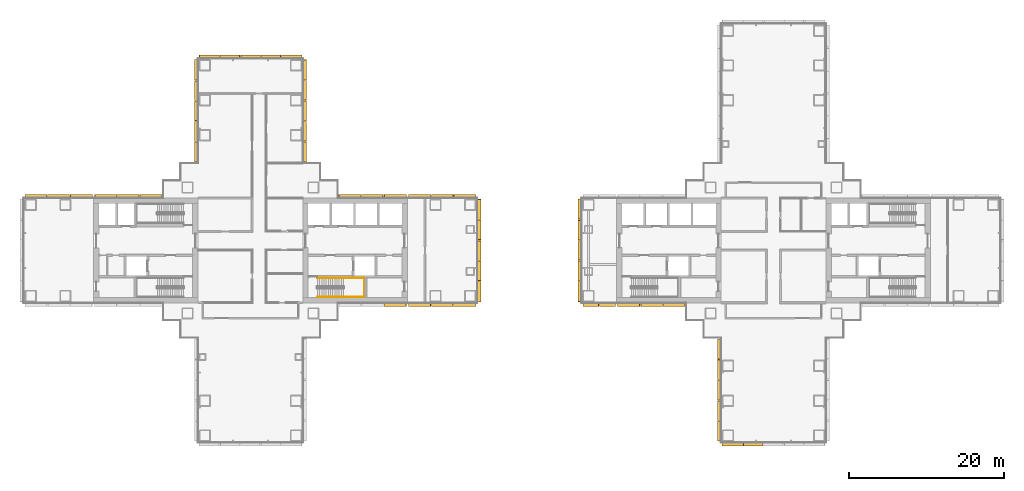
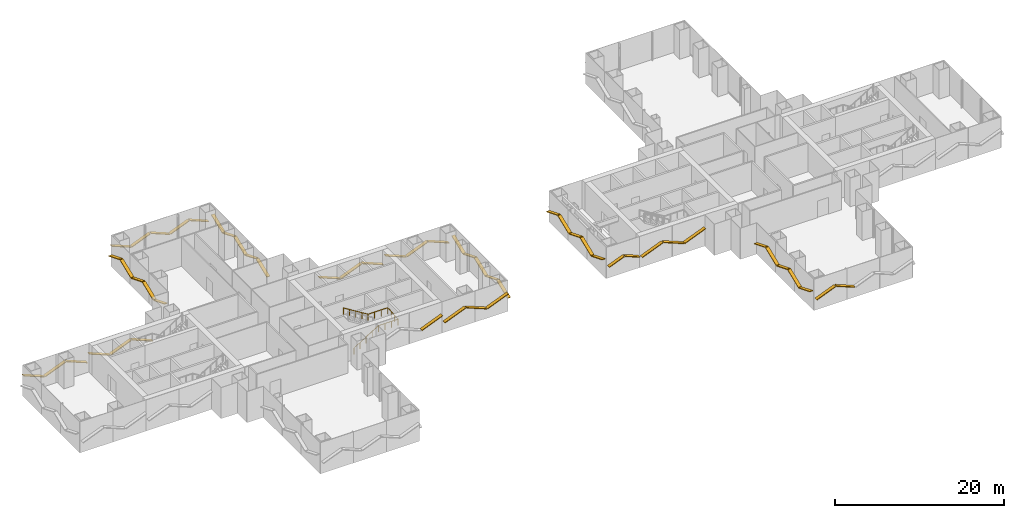
# One storey, part 20 of 22: 53 shading devices, 1 railing.
"""IFC4 building model written with IfcOpenShell, lengths in metres."""

from ifc_helpers import new_model, si_unit, direction, frame, origin, origin_2d, place, context, subcontext, project, spatial, rectangle, circle, extrude, material, material_profile, profile_set, type_object, element, save


model = new_model("IFC4")

# Units and contexts
model_context = context("Model", 3, precision=1e-05, world=origin(), true_north=direction((0.0, 1.0)))
body_context = subcontext(model_context, "Body", "Model", "MODEL_VIEW")
ifc_project = project(units=[si_unit("LENGTHUNIT", "METRE"), si_unit("AREAUNIT", "SQUARE_METRE"), si_unit("VOLUMEUNIT", "CUBIC_METRE"), si_unit("PLANEANGLEUNIT", "RADIAN"), si_unit("MASSUNIT", "GRAM", prefix="KILO")], contexts=[model_context])

# Site, building, storey
site_placement = place(None, origin())
site = spatial("IfcSite", under=ifc_project, at=site_placement, CompositionType="ELEMENT")
building_placement = place(site_placement, origin())
building = spatial("IfcBuilding", under=site, at=building_placement, Name="Shamsa Quay Exchange Towers", CompositionType="ELEMENT")
storey_placement = place(building_placement, frame((0.0, 0.0, 37.5)))
storey = spatial("IfcBuildingStorey", under=building, at=storey_placement, Name="L07", CompositionType="ELEMENT", Elevation=37.5)

# Shading devices
ifc_material_1 = material(Name="Aluminium EN AW-6063 T6, black anodised", Category="aluminium")
ifc_material_profile = material_profile(ifc_material_1, rectangle(XDim=0.449951171875, YDim=0.10009765625, at=origin_2d()), Name="FIN450x100")
ifc_profile_set = profile_set([ifc_material_profile], Name="Aluminium EN AW-6063 T6, black anodised")
shading_device_type = type_object("IfcShadingDeviceType", Name="FIN 450x100 BLACK ALUMINIUM", PredefinedType="USERDEFINED", material=ifc_profile_set)
shading_device_1_placement = place(storey_placement, frame((-16.4873046875, -7.01904296875, 1.326904296875), z_axis=(0.927200279974, 0.0, 0.374565936541), x_axis=(0.0, 1.0, 0.0)))
element("IfcShadingDevice", 1, at=shading_device_1_placement, inside=storey, type_object=shading_device_type, Name="FIN T1 chevron rib", ObjectType="FIN", PredefinedType="USERDEFINED", context=body_context, shape_type="SweptSolid", body=[
    extrude(rectangle(XDim=0.449951171875, YDim=0.10009765625, at=origin_2d()), origin(), (0.0, 0.0, 1.0), 3.060302734375),
])
shading_device_2_placement = place(storey_placement, frame((-13.35009765625, -7.014892578125, 1.32421875), z_axis=(0.927172879528, 0.0, 0.374633756445), x_axis=(0.0, 1.0, 0.0)))
element("IfcShadingDevice", 2, at=shading_device_2_placement, inside=storey, type_object=shading_device_type, Name="FIN T1 chevron rib", ObjectType="FIN", PredefinedType="USERDEFINED", context=body_context, shape_type="SweptSolid", body=[
    extrude(rectangle(XDim=0.449951171875, YDim=0.10009765625, at=origin_2d()), origin(), (0.0, 0.0, 1.0), 3.073974609375),
])
shading_device_3_placement = place(storey_placement, frame((-10.39990234375, -7.014892578125, 2.465576171875), z_axis=(0.927194321903, 0.0, -0.374580684808), x_axis=(0.0, 1.0, 0.0)))
element("IfcShadingDevice", 3, at=shading_device_3_placement, inside=storey, type_object=shading_device_type, Name="FIN T1 chevron rib", ObjectType="FIN", PredefinedType="USERDEFINED", context=body_context, shape_type="SweptSolid", body=[
    extrude(rectangle(XDim=0.449951171875, YDim=0.10009765625, at=origin_2d()), origin(), (0.0, 0.0, 1.0), 3.01953125),
])
shading_device_4_placement = place(storey_placement, frame((-7.5, -7.014892578125, 1.32421875), z_axis=(0.927172879528, 0.0, 0.374633756445), x_axis=(0.0, 1.0, 0.0)))
element("IfcShadingDevice", 4, at=shading_device_4_placement, inside=storey, type_object=shading_device_type, Name="FIN T1 chevron rib", ObjectType="FIN", PredefinedType="USERDEFINED", context=body_context, shape_type="SweptSolid", body=[
    extrude(rectangle(XDim=0.449951171875, YDim=0.10009765625, at=origin_2d()), origin(), (0.0, 0.0, 1.0), 3.073974609375),
])
shading_device_5_placement = place(storey_placement, frame((-4.235107421875, -6.60009765625, 1.376708984375), z_axis=(0.0, 0.927193392866, 0.374582984431), x_axis=(-1.0, 0.0, 0.0)))
element("IfcShadingDevice", 5, at=shading_device_5_placement, inside=storey, type_object=shading_device_type, Name="FIN T1 chevron rib", ObjectType="FIN", PredefinedType="USERDEFINED", context=body_context, shape_type="SweptSolid", body=[
    extrude(rectangle(XDim=0.449951171875, YDim=0.10009765625, at=origin_2d()), origin(), (0.0, 0.0, 1.0), 2.79345703125),
])
shading_device_6_placement = place(storey_placement, frame((-4.235107421875, -3.909912109375, 2.4130859375), z_axis=(0.0, 0.92718648049, -0.374600093963), x_axis=(-1.0, 0.0, 0.0)))
element("IfcShadingDevice", 6, at=shading_device_6_placement, inside=storey, type_object=shading_device_type, Name="FIN T1 chevron rib", ObjectType="FIN", PredefinedType="USERDEFINED", context=body_context, shape_type="SweptSolid", body=[
    extrude(rectangle(XDim=0.449951171875, YDim=0.10009765625, at=origin_2d()), origin(), (0.0, 0.0, 1.0), 2.7392578125),
])
shading_device_7_placement = place(storey_placement, frame((-4.235107421875, -1.27001953125, 1.386962890625), z_axis=(0.0, 0.927198985683, 0.37456914041), x_axis=(-1.0, 0.0, 0.0)))
element("IfcShadingDevice", 7, at=shading_device_7_placement, inside=storey, type_object=shading_device_type, Name="FIN T1 chevron rib", ObjectType="FIN", PredefinedType="USERDEFINED", context=body_context, shape_type="SweptSolid", body=[
    extrude(rectangle(XDim=0.449951171875, YDim=0.10009765625, at=origin_2d()), origin(), (0.0, 0.0, 1.0), 2.739501953125),
])
shading_device_8_placement = place(storey_placement, frame((-4.235107421875, 1.3701171875, 2.4130859375), z_axis=(0.0, 0.92718648049, -0.374600093963), x_axis=(-1.0, 0.0, 0.0)))
element("IfcShadingDevice", 8, at=shading_device_8_placement, inside=storey, type_object=shading_device_type, Name="FIN T1 chevron rib", ObjectType="FIN", PredefinedType="USERDEFINED", context=body_context, shape_type="SweptSolid", body=[
    extrude(rectangle(XDim=0.449951171875, YDim=0.10009765625, at=origin_2d()), origin(), (0.0, 0.0, 1.0), 2.7392578125),
])
shading_device_9_placement = place(storey_placement, frame((-4.235107421875, 4.010009765625, 1.376708984375), z_axis=(0.0, 0.927193392866, 0.374582984431), x_axis=(-1.0, 0.0, 0.0)))
element("IfcShadingDevice", 9, at=shading_device_9_placement, inside=storey, type_object=shading_device_type, Name="FIN T1 chevron rib", ObjectType="FIN", PredefinedType="USERDEFINED", context=body_context, shape_type="SweptSolid", body=[
    extrude(rectangle(XDim=0.449951171875, YDim=0.10009765625, at=origin_2d()), origin(), (0.0, 0.0, 1.0), 2.79345703125),
])
shading_device_10_placement = place(storey_placement, frame((-4.64990234375, 7.014892578125, 1.32421875), z_axis=(-0.927172879528, 0.0, 0.374633756445), x_axis=(0.0, -1.0, 0.0)))
element("IfcShadingDevice", 10, at=shading_device_10_placement, inside=storey, type_object=shading_device_type, Name="FIN T1 chevron rib", ObjectType="FIN", PredefinedType="USERDEFINED", context=body_context, shape_type="SweptSolid", body=[
    extrude(rectangle(XDim=0.449951171875, YDim=0.10009765625, at=origin_2d()), origin(), (0.0, 0.0, 1.0), 3.073974609375),
])
shading_device_11_placement = place(storey_placement, frame((-7.60009765625, 7.014892578125, 2.465576171875), z_axis=(-0.927194321903, 0.0, -0.374580684808), x_axis=(0.0, -1.0, 0.0)))
element("IfcShadingDevice", 11, at=shading_device_11_placement, inside=storey, type_object=shading_device_type, Name="FIN T1 chevron rib", ObjectType="FIN", PredefinedType="USERDEFINED", context=body_context, shape_type="SweptSolid", body=[
    extrude(rectangle(XDim=0.449951171875, YDim=0.10009765625, at=origin_2d()), origin(), (0.0, 0.0, 1.0), 3.01953125),
])
for number, where, z_axis, x_axis, name in (
    (12, (-10.5, 7.014892578125, 1.32421875), (-0.927172879528, 0.0, 0.374633756445), (0.0, -1.0, 0.0), "FIN T1 chevron rib"),
    (13, (-13.64990234375, 7.01904296875, 1.32421875), (-0.927172879528, 0.0, 0.374633756445), (0.0, -1.0, 0.0), "FIN T1 chevron rib"),
):
    element("IfcShadingDevice", number, at=place(storey_placement, frame(where, z_axis=z_axis, x_axis=x_axis)), inside=storey, type_object=shading_device_type, Name=name, ObjectType="FIN", PredefinedType="USERDEFINED", context=body_context, shape_type="SweptSolid", body=[
        extrude(rectangle(XDim=0.449951171875, YDim=0.10009765625, at=origin_2d()), origin(), (0.0, 0.0, 1.0), 3.073974609375),
    ])
shading_device_12_placement = place(storey_placement, frame((-16.60009765625, 7.01904296875, 2.465576171875), z_axis=(-0.927194321903, 0.0, -0.374580684808), x_axis=(0.0, -1.0, 0.0)))
element("IfcShadingDevice", 14, at=shading_device_12_placement, inside=storey, type_object=shading_device_type, Name="FIN T1 chevron rib", ObjectType="FIN", PredefinedType="USERDEFINED", context=body_context, shape_type="SweptSolid", body=[
    extrude(rectangle(XDim=0.449951171875, YDim=0.10009765625, at=origin_2d()), origin(), (0.0, 0.0, 1.0), 3.01953125),
])
shading_device_13_placement = place(storey_placement, frame((-19.5, 7.01904296875, 1.32421875), z_axis=(-0.927172879528, 0.0, 0.374633756445), x_axis=(0.0, -1.0, 0.0)))
element("IfcShadingDevice", 15, at=shading_device_13_placement, inside=storey, type_object=shading_device_type, Name="FIN T1 chevron rib", ObjectType="FIN", PredefinedType="USERDEFINED", context=body_context, shape_type="SweptSolid", body=[
    extrude(rectangle(XDim=0.449951171875, YDim=0.10009765625, at=origin_2d()), origin(), (0.0, 0.0, 1.0), 3.073974609375),
])
shading_device_14_placement = place(storey_placement, frame((-26.735107421875, 11.43798828125, 1.37841796875), z_axis=(0.0, 0.927207886392, 0.374547107067), x_axis=(-1.0, 0.0, 0.0)))
element("IfcShadingDevice", 16, at=shading_device_14_placement, inside=storey, type_object=shading_device_type, Name="FIN T1 chevron rib", ObjectType="FIN", PredefinedType="USERDEFINED", context=body_context, shape_type="SweptSolid", body=[
    extrude(rectangle(XDim=0.449951171875, YDim=0.10009765625, at=origin_2d()), origin(), (0.0, 0.0, 1.0), 2.78515625),
])
for number, where, z_axis, x_axis, name in (
    (17, (-26.735107421875, 14.120361328125, 2.41162109375), (0.0, 0.927182738176, -0.374609356569), (-1.0, 0.0, 0.0), "FIN T1 chevron rib"),
    (18, (-26.735107421875, 16.752685546875, 1.388427734375), (0.0, 0.927182738176, 0.374609356569), (-1.0, 0.0, 0.0), "FIN T1 chevron rib"),
):
    element("IfcShadingDevice", number, at=place(storey_placement, frame(where, z_axis=z_axis, x_axis=x_axis)), inside=storey, type_object=shading_device_type, Name=name, ObjectType="FIN", PredefinedType="USERDEFINED", context=body_context, shape_type="SweptSolid", body=[
        extrude(rectangle(XDim=0.449951171875, YDim=0.10009765625, at=origin_2d()), origin(), (0.0, 0.0, 1.0), 2.7314453125),
    ])
shading_device_15_placement = place(storey_placement, frame((-26.735107421875, 19.38525390625, 2.41162109375), z_axis=(0.0, 0.927170193131, -0.37464040488), x_axis=(-1.0, 0.0, 0.0)))
element("IfcShadingDevice", 19, at=shading_device_15_placement, inside=storey, type_object=shading_device_type, Name="FIN T1 chevron rib", ObjectType="FIN", PredefinedType="USERDEFINED", context=body_context, shape_type="SweptSolid", body=[
    extrude(rectangle(XDim=0.449951171875, YDim=0.10009765625, at=origin_2d()), origin(), (0.0, 0.0, 1.0), 2.731201171875),
])
shading_device_16_placement = place(storey_placement, frame((-26.735107421875, 22.017578125, 1.37841796875), z_axis=(0.0, 0.927207886392, 0.374547107067), x_axis=(-1.0, 0.0, 0.0)))
element("IfcShadingDevice", 20, at=shading_device_16_placement, inside=storey, type_object=shading_device_type, Name="FIN T1 chevron rib", ObjectType="FIN", PredefinedType="USERDEFINED", context=body_context, shape_type="SweptSolid", body=[
    extrude(rectangle(XDim=0.449951171875, YDim=0.10009765625, at=origin_2d()), origin(), (0.0, 0.0, 1.0), 2.78515625),
])
shading_device_17_placement = place(storey_placement, frame((-27.14990234375, 25.014892578125, 1.376708984375), z_axis=(-0.927193392866, 0.0, 0.374582984431), x_axis=(0.0, -1.0, 0.0)))
element("IfcShadingDevice", 21, at=shading_device_17_placement, inside=storey, type_object=shading_device_type, Name="FIN T1 chevron rib", ObjectType="FIN", PredefinedType="USERDEFINED", context=body_context, shape_type="SweptSolid", body=[
    extrude(rectangle(XDim=0.449951171875, YDim=0.10009765625, at=origin_2d()), origin(), (0.0, 0.0, 1.0), 2.79345703125),
])
shading_device_18_placement = place(storey_placement, frame((-29.840087890625, 25.014892578125, 2.4130859375), z_axis=(-0.92718648049, 0.0, -0.374600093963), x_axis=(0.0, -1.0, 0.0)))
element("IfcShadingDevice", 22, at=shading_device_18_placement, inside=storey, type_object=shading_device_type, Name="FIN T1 chevron rib", ObjectType="FIN", PredefinedType="USERDEFINED", context=body_context, shape_type="SweptSolid", body=[
    extrude(rectangle(XDim=0.449951171875, YDim=0.10009765625, at=origin_2d()), origin(), (0.0, 0.0, 1.0), 2.7392578125),
])
shading_device_19_placement = place(storey_placement, frame((-32.47998046875, 25.014892578125, 1.386962890625), z_axis=(-0.927198985683, 0.0, 0.37456914041), x_axis=(0.0, -1.0, 0.0)))
element("IfcShadingDevice", 23, at=shading_device_19_placement, inside=storey, type_object=shading_device_type, Name="FIN T1 chevron rib", ObjectType="FIN", PredefinedType="USERDEFINED", context=body_context, shape_type="SweptSolid", body=[
    extrude(rectangle(XDim=0.449951171875, YDim=0.10009765625, at=origin_2d()), origin(), (0.0, 0.0, 1.0), 2.739501953125),
])
shading_device_20_placement = place(storey_placement, frame((-35.1201171875, 25.014892578125, 2.4130859375), z_axis=(-0.92718648049, 0.0, -0.374600093963), x_axis=(0.0, -1.0, 0.0)))
element("IfcShadingDevice", 24, at=shading_device_20_placement, inside=storey, type_object=shading_device_type, Name="FIN T1 chevron rib", ObjectType="FIN", PredefinedType="USERDEFINED", context=body_context, shape_type="SweptSolid", body=[
    extrude(rectangle(XDim=0.449951171875, YDim=0.10009765625, at=origin_2d()), origin(), (0.0, 0.0, 1.0), 2.7392578125),
])
for number, where, z_axis, x_axis, name in (
    (25, (-37.760009765625, 25.014892578125, 1.376708984375), (-0.927193392866, 0.0, 0.374582984431), (0.0, -1.0, 0.0), "FIN T1 chevron rib"),
    (26, (-40.764892578125, 24.60009765625, 1.376708984375), (0.0, -0.927193392866, 0.374582984431), (1.0, 0.0, 0.0), "FIN T1 chevron rib"),
):
    element("IfcShadingDevice", number, at=place(storey_placement, frame(where, z_axis=z_axis, x_axis=x_axis)), inside=storey, type_object=shading_device_type, Name=name, ObjectType="FIN", PredefinedType="USERDEFINED", context=body_context, shape_type="SweptSolid", body=[
        extrude(rectangle(XDim=0.449951171875, YDim=0.10009765625, at=origin_2d()), origin(), (0.0, 0.0, 1.0), 2.79345703125),
    ])
shading_device_21_placement = place(storey_placement, frame((-40.764892578125, 21.909912109375, 2.4130859375), z_axis=(0.0, -0.92718648049, -0.374600093963), x_axis=(1.0, 0.0, 0.0)))
element("IfcShadingDevice", 27, at=shading_device_21_placement, inside=storey, type_object=shading_device_type, Name="FIN T1 chevron rib", ObjectType="FIN", PredefinedType="USERDEFINED", context=body_context, shape_type="SweptSolid", body=[
    extrude(rectangle(XDim=0.449951171875, YDim=0.10009765625, at=origin_2d()), origin(), (0.0, 0.0, 1.0), 2.7392578125),
])
shading_device_22_placement = place(storey_placement, frame((-40.764892578125, 19.27001953125, 1.386962890625), z_axis=(0.0, -0.927198985683, 0.37456914041), x_axis=(1.0, 0.0, 0.0)))
element("IfcShadingDevice", 28, at=shading_device_22_placement, inside=storey, type_object=shading_device_type, Name="FIN T1 chevron rib", ObjectType="FIN", PredefinedType="USERDEFINED", context=body_context, shape_type="SweptSolid", body=[
    extrude(rectangle(XDim=0.449951171875, YDim=0.10009765625, at=origin_2d()), origin(), (0.0, 0.0, 1.0), 2.739501953125),
])
shading_device_23_placement = place(storey_placement, frame((-40.764892578125, 16.6298828125, 2.4130859375), z_axis=(0.0, -0.92718648049, -0.374600093963), x_axis=(1.0, 0.0, 0.0)))
element("IfcShadingDevice", 29, at=shading_device_23_placement, inside=storey, type_object=shading_device_type, Name="FIN T1 chevron rib", ObjectType="FIN", PredefinedType="USERDEFINED", context=body_context, shape_type="SweptSolid", body=[
    extrude(rectangle(XDim=0.449951171875, YDim=0.10009765625, at=origin_2d()), origin(), (0.0, 0.0, 1.0), 2.7392578125),
])
shading_device_24_placement = place(storey_placement, frame((-40.764892578125, 13.989990234375, 1.376708984375), z_axis=(0.0, -0.927193392866, 0.374582984431), x_axis=(1.0, 0.0, 0.0)))
element("IfcShadingDevice", 30, at=shading_device_24_placement, inside=storey, type_object=shading_device_type, Name="FIN T1 chevron rib", ObjectType="FIN", PredefinedType="USERDEFINED", context=body_context, shape_type="SweptSolid", body=[
    extrude(rectangle(XDim=0.449951171875, YDim=0.10009765625, at=origin_2d()), origin(), (0.0, 0.0, 1.0), 2.79345703125),
])
shading_device_25_placement = place(storey_placement, frame((-45.18798828125, 7.01904296875, 1.326904296875), z_axis=(-0.927200279974, 0.0, 0.374565936541), x_axis=(0.0, -1.0, 0.0)))
element("IfcShadingDevice", 31, at=shading_device_25_placement, inside=storey, type_object=shading_device_type, Name="FIN T1 chevron rib", ObjectType="FIN", PredefinedType="USERDEFINED", context=body_context, shape_type="SweptSolid", body=[
    extrude(rectangle(XDim=0.449951171875, YDim=0.10009765625, at=origin_2d()), origin(), (0.0, 0.0, 1.0), 3.060302734375),
])
shading_device_26_placement = place(storey_placement, frame((-48.125244140625, 7.01904296875, 2.463134765625), z_axis=(-0.927177294124, 0.0, -0.374622830673), x_axis=(0.0, -1.0, 0.0)))
element("IfcShadingDevice", 32, at=shading_device_26_placement, inside=storey, type_object=shading_device_type, Name="FIN T1 chevron rib", ObjectType="FIN", PredefinedType="USERDEFINED", context=body_context, shape_type="SweptSolid", body=[
    extrude(rectangle(XDim=0.449951171875, YDim=0.10009765625, at=origin_2d()), origin(), (0.0, 0.0, 1.0), 3.00634765625),
])
shading_device_27_placement = place(storey_placement, frame((-51.0126953125, 7.01904296875, 1.326904296875), z_axis=(-0.927200279974, 0.0, 0.374565936541), x_axis=(0.0, -1.0, 0.0)))
element("IfcShadingDevice", 33, at=shading_device_27_placement, inside=storey, type_object=shading_device_type, Name="FIN T1 chevron rib", ObjectType="FIN", PredefinedType="USERDEFINED", context=body_context, shape_type="SweptSolid", body=[
    extrude(rectangle(XDim=0.449951171875, YDim=0.10009765625, at=origin_2d()), origin(), (0.0, 0.0, 1.0), 3.060302734375),
])
shading_device_28_placement = place(storey_placement, frame((-54.14990234375, 7.014892578125, 1.32421875), z_axis=(-0.927172879528, 0.0, 0.374633756445), x_axis=(0.0, -1.0, 0.0)))
element("IfcShadingDevice", 34, at=shading_device_28_placement, inside=storey, type_object=shading_device_type, Name="FIN T1 chevron rib", ObjectType="FIN", PredefinedType="USERDEFINED", context=body_context, shape_type="SweptSolid", body=[
    extrude(rectangle(XDim=0.449951171875, YDim=0.10009765625, at=origin_2d()), origin(), (0.0, 0.0, 1.0), 3.073974609375),
])
shading_device_29_placement = place(storey_placement, frame((-57.10009765625, 7.014892578125, 2.465576171875), z_axis=(-0.927194321903, 0.0, -0.374580684808), x_axis=(0.0, -1.0, 0.0)))
element("IfcShadingDevice", 35, at=shading_device_29_placement, inside=storey, type_object=shading_device_type, Name="FIN T1 chevron rib", ObjectType="FIN", PredefinedType="USERDEFINED", context=body_context, shape_type="SweptSolid", body=[
    extrude(rectangle(XDim=0.449951171875, YDim=0.10009765625, at=origin_2d()), origin(), (0.0, 0.0, 1.0), 3.01953125),
])
shading_device_30_placement = place(storey_placement, frame((-60.0, 7.014892578125, 1.32421875), z_axis=(-0.927172879528, 0.0, 0.374633756445), x_axis=(0.0, -1.0, 0.0)))
element("IfcShadingDevice", 36, at=shading_device_30_placement, inside=storey, type_object=shading_device_type, Name="FIN T1 chevron rib", ObjectType="FIN", PredefinedType="USERDEFINED", context=body_context, shape_type="SweptSolid", body=[
    extrude(rectangle(XDim=0.449951171875, YDim=0.10009765625, at=origin_2d()), origin(), (0.0, 0.0, 1.0), 3.073974609375),
])
shading_device_31_placement = place(storey_placement, frame((8.735107421875, 6.60009765625, 1.376708984375), z_axis=(0.0, -0.927193392866, 0.374582984431), x_axis=(1.0, 0.0, 0.0)))
element("IfcShadingDevice", 37, at=shading_device_31_placement, inside=storey, type_object=shading_device_type, Name="FIN T2 chevron rib", ObjectType="FIN", PredefinedType="USERDEFINED", context=body_context, shape_type="SweptSolid", body=[
    extrude(rectangle(XDim=0.449951171875, YDim=0.10009765625, at=origin_2d()), origin(), (0.0, 0.0, 1.0), 2.79345703125),
])
shading_device_32_placement = place(storey_placement, frame((8.735107421875, 3.909912109375, 2.4130859375), z_axis=(0.0, -0.92718648049, -0.374600093963), x_axis=(1.0, 0.0, 0.0)))
element("IfcShadingDevice", 38, at=shading_device_32_placement, inside=storey, type_object=shading_device_type, Name="FIN T2 chevron rib", ObjectType="FIN", PredefinedType="USERDEFINED", context=body_context, shape_type="SweptSolid", body=[
    extrude(rectangle(XDim=0.449951171875, YDim=0.10009765625, at=origin_2d()), origin(), (0.0, 0.0, 1.0), 2.7392578125),
])
shading_device_33_placement = place(storey_placement, frame((8.735107421875, 1.27001953125, 1.386962890625), z_axis=(0.0, -0.927198985683, 0.37456914041), x_axis=(1.0, 0.0, 0.0)))
element("IfcShadingDevice", 39, at=shading_device_33_placement, inside=storey, type_object=shading_device_type, Name="FIN T2 chevron rib", ObjectType="FIN", PredefinedType="USERDEFINED", context=body_context, shape_type="SweptSolid", body=[
    extrude(rectangle(XDim=0.449951171875, YDim=0.10009765625, at=origin_2d()), origin(), (0.0, 0.0, 1.0), 2.739501953125),
])
shading_device_34_placement = place(storey_placement, frame((8.735107421875, -1.3701171875, 2.4130859375), z_axis=(0.0, -0.92718648049, -0.374600093963), x_axis=(1.0, 0.0, 0.0)))
element("IfcShadingDevice", 40, at=shading_device_34_placement, inside=storey, type_object=shading_device_type, Name="FIN T2 chevron rib", ObjectType="FIN", PredefinedType="USERDEFINED", context=body_context, shape_type="SweptSolid", body=[
    extrude(rectangle(XDim=0.449951171875, YDim=0.10009765625, at=origin_2d()), origin(), (0.0, 0.0, 1.0), 2.7392578125),
])
shading_device_35_placement = place(storey_placement, frame((8.735107421875, -4.010009765625, 1.376708984375), z_axis=(0.0, -0.927193392866, 0.374582984431), x_axis=(1.0, 0.0, 0.0)))
element("IfcShadingDevice", 41, at=shading_device_35_placement, inside=storey, type_object=shading_device_type, Name="FIN T2 chevron rib", ObjectType="FIN", PredefinedType="USERDEFINED", context=body_context, shape_type="SweptSolid", body=[
    extrude(rectangle(XDim=0.449951171875, YDim=0.10009765625, at=origin_2d()), origin(), (0.0, 0.0, 1.0), 2.79345703125),
])
for number, where, z_axis, x_axis, name in (
    (42, (9.14990234375, -7.014892578125, 1.48583984375), (0.927168828628, 0.0, 0.374643781772), (0.0, 1.0, 0.0), "FIN T2 chevron rib"),
    (43, (11.300048828125, -7.014892578125, 2.314208984375), (0.927168828628, 0.0, -0.374643781772), (0.0, 1.0, 0.0), "FIN T2 chevron rib"),
):
    element("IfcShadingDevice", number, at=place(storey_placement, frame(where, z_axis=z_axis, x_axis=x_axis)), inside=storey, type_object=shading_device_type, Name=name, ObjectType="FIN", PredefinedType="USERDEFINED", context=body_context, shape_type="SweptSolid", body=[
        extrude(rectangle(XDim=0.449951171875, YDim=0.10009765625, at=origin_2d()), origin(), (0.0, 0.0, 1.0), 2.211181640625),
    ])
shading_device_36_placement = place(storey_placement, frame((13.64990234375, -7.01904296875, 1.32421875), z_axis=(0.927172879528, 0.0, 0.374633756445), x_axis=(0.0, 1.0, 0.0)))
element("IfcShadingDevice", 44, at=shading_device_36_placement, inside=storey, type_object=shading_device_type, Name="FIN T2 chevron rib", ObjectType="FIN", PredefinedType="USERDEFINED", context=body_context, shape_type="SweptSolid", body=[
    extrude(rectangle(XDim=0.449951171875, YDim=0.10009765625, at=origin_2d()), origin(), (0.0, 0.0, 1.0), 3.073974609375),
])
shading_device_37_placement = place(storey_placement, frame((16.60009765625, -7.01904296875, 2.465576171875), z_axis=(0.927194321903, 0.0, -0.374580684808), x_axis=(0.0, 1.0, 0.0)))
element("IfcShadingDevice", 45, at=shading_device_37_placement, inside=storey, type_object=shading_device_type, Name="FIN T2 chevron rib", ObjectType="FIN", PredefinedType="USERDEFINED", context=body_context, shape_type="SweptSolid", body=[
    extrude(rectangle(XDim=0.449951171875, YDim=0.10009765625, at=origin_2d()), origin(), (0.0, 0.0, 1.0), 3.01953125),
])
shading_device_38_placement = place(storey_placement, frame((19.5, -7.01904296875, 1.32421875), z_axis=(0.927172879528, 0.0, 0.374633756445), x_axis=(0.0, 1.0, 0.0)))
element("IfcShadingDevice", 46, at=shading_device_38_placement, inside=storey, type_object=shading_device_type, Name="FIN T2 chevron rib", ObjectType="FIN", PredefinedType="USERDEFINED", context=body_context, shape_type="SweptSolid", body=[
    extrude(rectangle(XDim=0.449951171875, YDim=0.10009765625, at=origin_2d()), origin(), (0.0, 0.0, 1.0), 3.073974609375),
])
shading_device_39_placement = place(storey_placement, frame((26.735107421875, -11.43798828125, 1.37841796875), z_axis=(0.0, -0.927207886392, 0.374547107067), x_axis=(1.0, 0.0, 0.0)))
element("IfcShadingDevice", 47, at=shading_device_39_placement, inside=storey, type_object=shading_device_type, Name="FIN T2 chevron rib", ObjectType="FIN", PredefinedType="USERDEFINED", context=body_context, shape_type="SweptSolid", body=[
    extrude(rectangle(XDim=0.449951171875, YDim=0.10009765625, at=origin_2d()), origin(), (0.0, 0.0, 1.0), 2.78515625),
])
for number, where, z_axis, x_axis, name in (
    (48, (26.735107421875, -14.120361328125, 2.41162109375), (0.0, -0.927182738176, -0.374609356569), (1.0, 0.0, 0.0), "FIN T2 chevron rib"),
    (49, (26.735107421875, -16.752685546875, 1.388427734375), (0.0, -0.927182738176, 0.374609356569), (1.0, 0.0, 0.0), "FIN T2 chevron rib"),
):
    element("IfcShadingDevice", number, at=place(storey_placement, frame(where, z_axis=z_axis, x_axis=x_axis)), inside=storey, type_object=shading_device_type, Name=name, ObjectType="FIN", PredefinedType="USERDEFINED", context=body_context, shape_type="SweptSolid", body=[
        extrude(rectangle(XDim=0.449951171875, YDim=0.10009765625, at=origin_2d()), origin(), (0.0, 0.0, 1.0), 2.7314453125),
    ])
shading_device_40_placement = place(storey_placement, frame((26.735107421875, -19.38525390625, 2.41162109375), z_axis=(0.0, -0.927170193131, -0.37464040488), x_axis=(1.0, 0.0, 0.0)))
element("IfcShadingDevice", 50, at=shading_device_40_placement, inside=storey, type_object=shading_device_type, Name="FIN T2 chevron rib", ObjectType="FIN", PredefinedType="USERDEFINED", context=body_context, shape_type="SweptSolid", body=[
    extrude(rectangle(XDim=0.449951171875, YDim=0.10009765625, at=origin_2d()), origin(), (0.0, 0.0, 1.0), 2.731201171875),
])
shading_device_41_placement = place(storey_placement, frame((26.735107421875, -22.017578125, 1.37841796875), z_axis=(0.0, -0.927207886392, 0.374547107067), x_axis=(1.0, 0.0, 0.0)))
element("IfcShadingDevice", 51, at=shading_device_41_placement, inside=storey, type_object=shading_device_type, Name="FIN T2 chevron rib", ObjectType="FIN", PredefinedType="USERDEFINED", context=body_context, shape_type="SweptSolid", body=[
    extrude(rectangle(XDim=0.449951171875, YDim=0.10009765625, at=origin_2d()), origin(), (0.0, 0.0, 1.0), 2.78515625),
])
shading_device_42_placement = place(storey_placement, frame((27.14990234375, -25.014892578125, 1.376708984375), z_axis=(0.927193392866, 0.0, 0.374582984431), x_axis=(0.0, 1.0, 0.0)))
element("IfcShadingDevice", 52, at=shading_device_42_placement, inside=storey, type_object=shading_device_type, Name="FIN T2 chevron rib", ObjectType="FIN", PredefinedType="USERDEFINED", context=body_context, shape_type="SweptSolid", body=[
    extrude(rectangle(XDim=0.449951171875, YDim=0.10009765625, at=origin_2d()), origin(), (0.0, 0.0, 1.0), 2.79345703125),
])
shading_device_43_placement = place(storey_placement, frame((29.840087890625, -25.014892578125, 2.4130859375), z_axis=(0.92718648049, 0.0, -0.374600093963), x_axis=(0.0, 1.0, 0.0)))
element("IfcShadingDevice", 53, at=shading_device_43_placement, inside=storey, type_object=shading_device_type, Name="FIN T2 chevron rib", ObjectType="FIN", PredefinedType="USERDEFINED", context=body_context, shape_type="SweptSolid", body=[
    extrude(rectangle(XDim=0.449951171875, YDim=0.10009765625, at=origin_2d()), origin(), (0.0, 0.0, 1.0), 2.7392578125),
])

# Railing
ifc_material_2 = material(Name="Stainless steel", Category="steel")
railing_type = type_object("IfcRailingType", Name="STAIR HANDRAIL 900", PredefinedType="HANDRAIL", material=ifc_material_2)
railing_placement = place(storey_placement, frame((-25.10009765625, -6.0, 0.173095703125)))
element("IfcRailing", 54, at=railing_placement, inside=storey, type_object=railing_type, Name="L07 ST1 stair handrail 1", PredefinedType="HANDRAIL", context=body_context, shape_type="SweptSolid", body=[
    extrude(circle(Radius=0.02392578125, at=origin_2d()), frame((0.0, 0.0, 0.8759765625), z_axis=(0.850623216509, 0.0, 0.525775754039), x_axis=(0.0, 1.0, 0.0)), (0.0, 0.0, 1.0), 3.9501953125),
    extrude(circle(Radius=0.02392578125, at=origin_2d()), frame((3.360107421875, 0.0, 2.95263671875), z_axis=(1.0, 0.0, 0.0), x_axis=(0.0, 1.0, 0.0)), (0.0, 0.0, 1.0), 2.68994140625),
    extrude(circle(Radius=0.02392578125, at=origin_2d()), frame((6.050048828125, 0.0, 2.95263671875), z_axis=(0.0, 0.997513402493, 0.07047703063), x_axis=(-1.0, 0.0, 0.0)), (0.0, 0.0, 1.0), 2.4560546875),
    extrude(circle(Radius=0.02392578125, at=origin_2d()), frame((6.050048828125, 2.449951171875, 3.1259765625), z_axis=(-1.0, 0.0, 0.0), x_axis=(0.0, -1.0, 0.0)), (0.0, 0.0, 1.0), 2.68994140625),
    extrude(circle(Radius=0.02392578125, at=origin_2d()), frame((3.360107421875, 2.449951171875, 3.1259765625), z_axis=(-0.850623216509, 0.0, 0.525775754039), x_axis=(0.0, -1.0, 0.0)), (0.0, 0.0, 1.0), 3.9501953125),
    extrude(circle(Radius=0.02099609375, at=origin_2d()), origin(), (0.0, 0.0, 1.0), 0.851806640625),
    extrude(circle(Radius=0.02099609375, at=origin_2d()), frame((0.840087890625, 0.0, 0.519287109375)), (0.0, 0.0, 1.0), 0.851806640625),
    extrude(circle(Radius=0.02099609375, at=origin_2d()), frame((1.68017578125, 0.0, 1.03857421875)), (0.0, 0.0, 1.0), 0.851806640625),
    extrude(circle(Radius=0.02099609375, at=origin_2d()), frame((2.52001953125, 0.0, 1.5576171875)), (0.0, 0.0, 1.0), 0.851806640625),
    extrude(circle(Radius=0.02099609375, at=origin_2d()), frame((3.360107421875, 0.0, 2.076904296875)), (0.0, 0.0, 1.0), 0.851806640625),
    extrude(circle(Radius=0.02099609375, at=origin_2d()), frame((4.2568359375, 0.0, 2.076904296875)), (0.0, 0.0, 1.0), 0.851806640625),
    extrude(circle(Radius=0.02099609375, at=origin_2d()), frame((5.1533203125, 0.0, 2.076904296875)), (0.0, 0.0, 1.0), 0.851806640625),
    extrude(circle(Radius=0.02099609375, at=origin_2d()), frame((6.050048828125, 0.0, 2.076904296875)), (0.0, 0.0, 1.0), 0.851806640625),
    extrude(circle(Radius=0.02099609375, at=origin_2d()), frame((6.050048828125, 0.816650390625, 2.134521484375)), (0.0, 0.0, 1.0), 0.851806640625),
    extrude(circle(Radius=0.02099609375, at=origin_2d()), frame((6.050048828125, 1.63330078125, 2.1923828125)), (0.0, 0.0, 1.0), 0.851806640625),
    extrude(circle(Radius=0.02099609375, at=origin_2d()), frame((6.050048828125, 2.449951171875, 2.25)), (0.0, 0.0, 1.0), 0.851806640625),
    extrude(circle(Radius=0.02099609375, at=origin_2d()), frame((5.1533203125, 2.449951171875, 2.25)), (0.0, 0.0, 1.0), 0.851806640625),
    extrude(circle(Radius=0.02099609375, at=origin_2d()), frame((4.2568359375, 2.449951171875, 2.25)), (0.0, 0.0, 1.0), 0.851806640625),
    extrude(circle(Radius=0.02099609375, at=origin_2d()), frame((3.360107421875, 2.449951171875, 2.25)), (0.0, 0.0, 1.0), 0.851806640625),
    extrude(circle(Radius=0.02099609375, at=origin_2d()), frame((2.52001953125, 2.449951171875, 2.769287109375)), (0.0, 0.0, 1.0), 0.851806640625),
    extrude(circle(Radius=0.02099609375, at=origin_2d()), frame((1.68017578125, 2.449951171875, 3.28857421875)), (0.0, 0.0, 1.0), 0.851806640625),
    extrude(circle(Radius=0.02099609375, at=origin_2d()), frame((0.840087890625, 2.449951171875, 3.8076171875)), (0.0, 0.0, 1.0), 0.851806640625),
    extrude(circle(Radius=0.02099609375, at=origin_2d()), frame((0.0, 2.449951171875, 4.326904296875)), (0.0, 0.0, 1.0), 0.851806640625),
])

save(model, "model.ifc")
